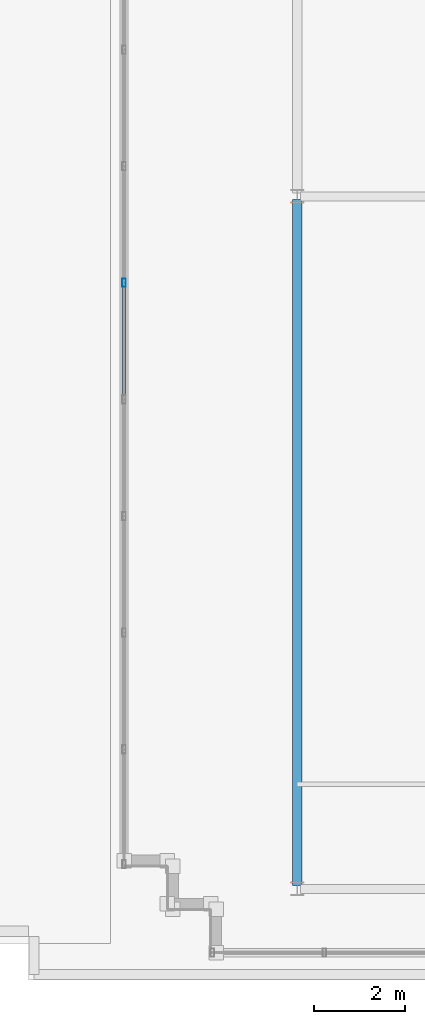
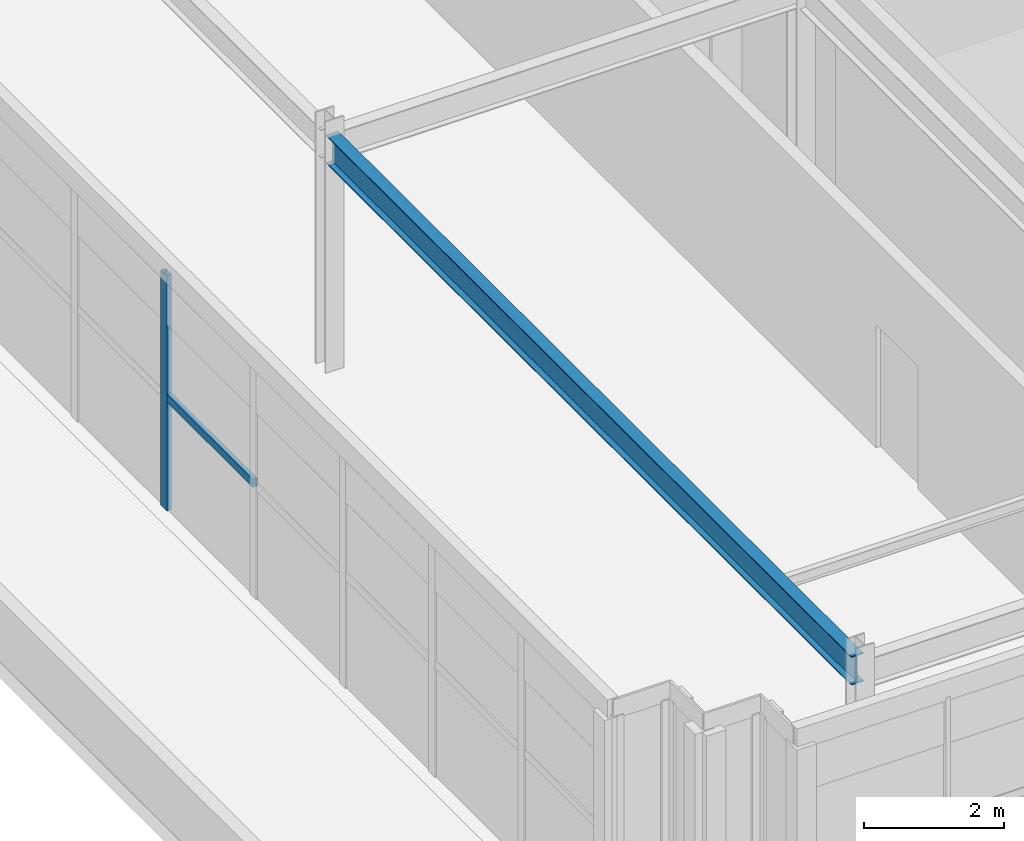
# One storey, part 14 of 28: 2 members, 1 beam, 1 element without a shape of its own.
"""IFC4 building model written with IfcOpenShell, lengths in metres."""

from ifc_helpers import new_model, si_unit, direction, frame, origin, origin_2d, place, context, subcontext, project, spatial, hollow_rectangle, i_section, extrude, source, transform, mapped, material, material_profile, profile_set, type_object, element, aggregate, save


model = new_model("IFC4")

# Units and contexts
model_context = context("Model", 3, precision=1e-05, world=origin(), true_north=direction((0.0, 1.0)))
body_context = subcontext(model_context, "Body", "Model", "MODEL_VIEW")
ifc_project = project(units=[si_unit("LENGTHUNIT", "METRE"), si_unit("AREAUNIT", "SQUARE_METRE"), si_unit("VOLUMEUNIT", "CUBIC_METRE"), si_unit("PLANEANGLEUNIT", "RADIAN"), si_unit("MASSUNIT", "GRAM", prefix="KILO")], contexts=[model_context])

# Site, building, storey
site_placement = place(None, origin())
site = spatial("IfcSite", under=ifc_project, at=site_placement, CompositionType="ELEMENT")
building_placement = place(site_placement, origin())
building = spatial("IfcBuilding", under=site, at=building_placement, Name="Trelvane Seafront Commons", CompositionType="ELEMENT")
storey_placement = place(building_placement, frame((0.0, 0.0, 312.300048828125)))
storey = spatial("IfcBuildingStorey", under=building, at=storey_placement, Name="L81", CompositionType="ELEMENT", Elevation=312.300048828125)

# Beam
ifc_material_1 = material(Name="Steel SM355 (S355)", Category="steel")
ifc_material_profile_1 = material_profile(ifc_material_1, i_section(OverallWidth=0.199951171875, OverallDepth=0.5, WebThickness=0.010009765625, FlangeThickness=0.01611328125, at=origin_2d()), Name="H-500x200x10x16")
ifc_profile_set_1 = profile_set([ifc_material_profile_1], Name="Steel SM355 (S355)")
beam_type = type_object("IfcBeamType", Name="STR-BM-H500", PredefinedType="BEAM", material=ifc_profile_set_1)
shared_shape_1 = source(origin(), body_context, "Body", "SweptSolid", [
    extrude(i_section(OverallWidth=0.199951171875, OverallDepth=0.5, WebThickness=0.010009765625, FlangeThickness=0.01611328125, at=origin_2d()), origin(), (0.0, 0.0, 1.0), 15.050048828125),
])
beam_placement = place(storey_placement, frame((51.0, 18.27490234375, 3.85986328125), z_axis=(0.0, 1.0, 0.0), x_axis=(-1.0, 0.0, 0.0)))
element("IfcBeam", 1, at=beam_placement, inside=storey, type_object=beam_type, Name="L81 Primary Girder G-19", PredefinedType="BEAM", context=body_context, shape_type="MappedRepresentation", body=[
    mapped(shared_shape_1, transform((0.0, 0.0, 0.0), x_axis=(1.0, 0.0, 0.0), y_axis=(0.0, 1.0, 0.0), z_axis=(0.0, 0.0, 1.0), scale=1.0)),
])

# Curtain wall, members
ifc_material_2 = material(Name="Anodised pale-silver aluminium", Category="aluminium")
curtain_wall_type = type_object("IfcCurtainWallType", Name="ARCH-CW6-CROWN", PredefinedType="NOTDEFINED", material=ifc_material_2)
curtain_wall_placement = place(storey_placement, origin())
curtain_wall = element("IfcCurtainWall", 2, at=curtain_wall_placement, inside=storey, type_object=curtain_wall_type, Name="CW-L81-0148", PredefinedType="NOTDEFINED")
ifc_material_profile_2 = material_profile(ifc_material_2, hollow_rectangle(XDim=0.080078125, YDim=0.179931640625, WallThickness=0.00439453125, at=origin_2d()), Name="MULL-80x180x4.5")
ifc_profile_set_2 = profile_set([ifc_material_profile_2], Name="Anodised pale-silver aluminium")
member_type_1 = type_object("IfcMemberType", Name="ARCH-CW-MULL-180", PredefinedType="MULLION", material=ifc_profile_set_2)
shared_shape_2 = source(origin(), body_context, "Body", "SweptSolid", [
    extrude(hollow_rectangle(XDim=0.080078125, YDim=0.179931640625, WallThickness=0.00439453125, at=origin_2d()), origin(), (0.0, 0.0, 1.0), 4.10986328125),
])
member_1_placement = place(storey_placement, frame((47.199951171875, 31.5, 0.0), z_axis=(0.0, 0.0, 1.0), x_axis=(1.0, 0.0, 0.0)))
member_1 = element("IfcMember", 3, at=member_1_placement, type_object=member_type_1, Name="CW-L81-0148-M05", PredefinedType="MULLION", context=body_context, shape_type="MappedRepresentation", body=[
    mapped(shared_shape_2, transform((0.0, 0.0, 0.0), x_axis=(1.0, 0.0, 0.0), y_axis=(0.0, 1.0, 0.0), z_axis=(0.0, 0.0, 1.0), scale=1.0)),
])
ifc_material_profile_3 = material_profile(ifc_material_2, hollow_rectangle(XDim=0.074951171875, YDim=0.139892578125, WallThickness=0.00390625, at=origin_2d()), Name="TRAN-75x140x4")
ifc_profile_set_3 = profile_set([ifc_material_profile_3], Name="Anodised pale-silver aluminium")
member_type_2 = type_object("IfcMemberType", Name="ARCH-CW-TRAN-140", PredefinedType="USERDEFINED", material=ifc_profile_set_3)
shared_shape_3 = source(origin(), body_context, "Body", "SweptSolid", [
    extrude(hollow_rectangle(XDim=0.074951171875, YDim=0.139892578125, WallThickness=0.00390625, at=origin_2d()), origin(), (0.0, 0.0, 1.0), 2.5361328125),
])
member_2_placement = place(storey_placement, frame((47.199951171875, 28.951904296875, 1.972900390625), z_axis=(0.0, 1.0, 0.0), x_axis=(-1.0, 0.0, 0.0)))
member_2 = element("IfcMember", 4, at=member_2_placement, type_object=member_type_2, Name="CW-L81-0148-T04", ObjectType="TRANSOM", PredefinedType="USERDEFINED", context=body_context, shape_type="MappedRepresentation", body=[
    mapped(shared_shape_3, transform((0.0, 0.0, 0.0), x_axis=(1.0, 0.0, 0.0), y_axis=(0.0, 1.0, 0.0), z_axis=(0.0, 0.0, 1.0), scale=1.0)),
])
aggregate(curtain_wall, [member_1, member_2])

save(model, "model.ifc")
